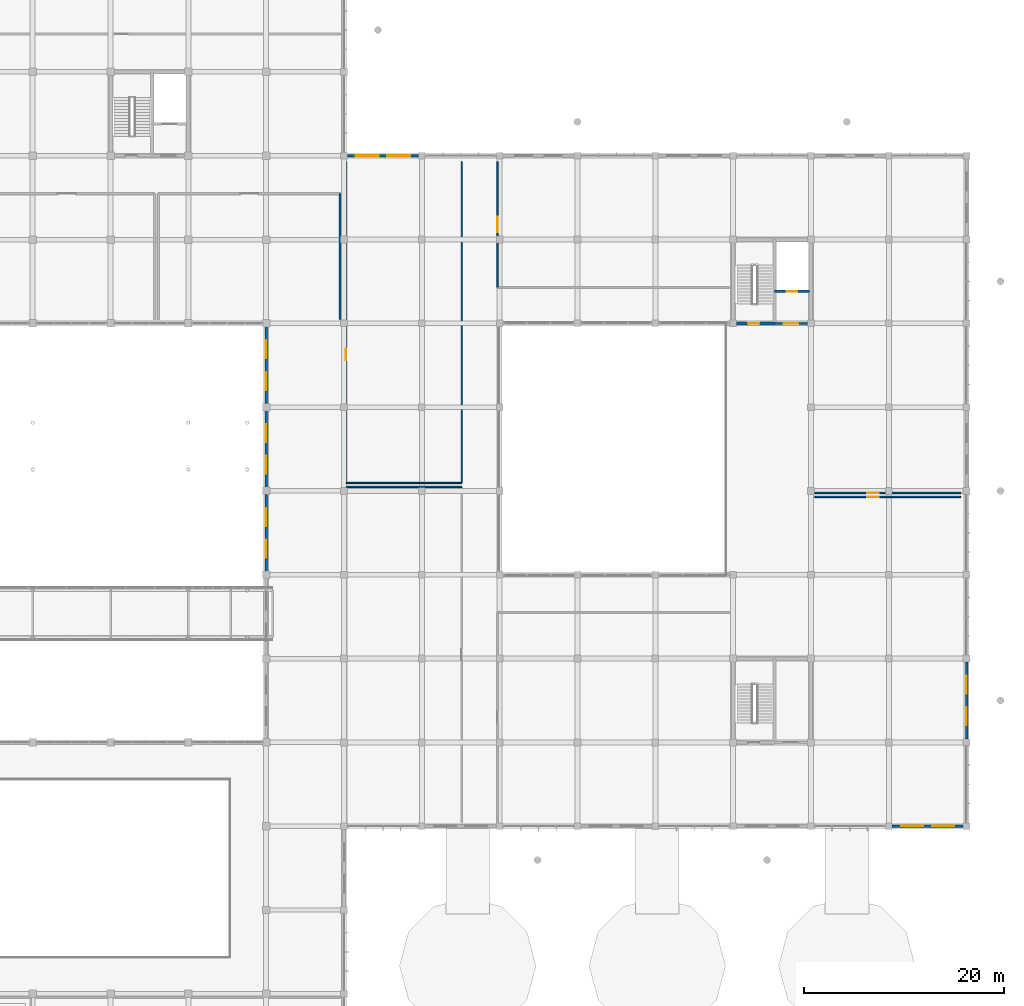
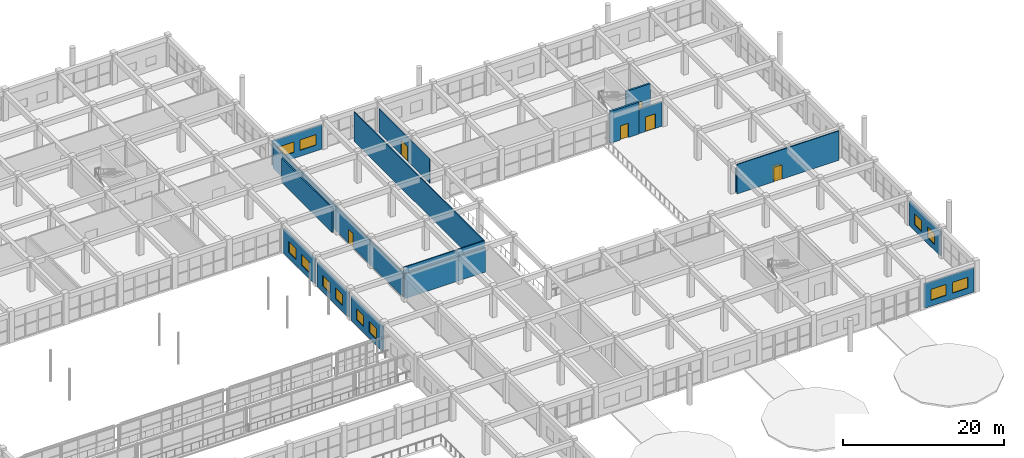
# One storey, part 165 of 175: 17 walls, 12 windows, 7 doors, 19 openings.
"""IFC4 building model written with IfcOpenShell, lengths in metres."""

from ifc_helpers import new_model, si_unit, direction, frame, frame_2d, origin, place, context, subcontext, project, spatial, rectangle, extrude, material, layer, layer_set, type_object, element, fill, save


model = new_model("IFC4")

# Units and contexts
model_context = context("Model", 3, precision=1e-05, world=origin(), true_north=direction((0.0, 1.0)))
body_context = subcontext(model_context, "Body", "Model", "MODEL_VIEW")
ifc_project = project(units=[si_unit("LENGTHUNIT", "METRE"), si_unit("AREAUNIT", "SQUARE_METRE"), si_unit("VOLUMEUNIT", "CUBIC_METRE"), si_unit("PLANEANGLEUNIT", "RADIAN"), si_unit("MASSUNIT", "GRAM", prefix="KILO")], contexts=[model_context])

# Site, building, storey
site_placement = place(None, origin())
site = spatial("IfcSite", under=ifc_project, at=site_placement, CompositionType="ELEMENT")
building_placement = place(site_placement, origin())
building = spatial("IfcBuilding", under=site, at=building_placement, Name="Zizhar Promenade General Hospital", CompositionType="ELEMENT")
storey_placement = place(building_placement, frame((0.0, 0.0, 4.800048828125)))
storey = spatial("IfcBuildingStorey", under=building, at=storey_placement, Name="L01", CompositionType="ELEMENT", Elevation=4.800048828125)

# Wall, openings, windows
ifc_material_1 = material(Name="Precast concrete C40/50", Category="concrete")
ifc_layer_1 = layer(ifc_material_1, 0.235107421875)
ifc_layer_set_1 = layer_set([ifc_layer_1], Name="Precast concrete C40/50")
wall_type_1 = type_object("IfcWallType", Name="EW-CLN-235", PredefinedType="STANDARD", material=ifc_layer_set_1)
wall_1_placement = place(storey_placement, frame((132.93994140625, 109.199951171875, 0.0), z_axis=(0.0, 0.0, 1.0), x_axis=(1.0, 0.0, 0.0)))
wall_1 = element("IfcWall", 1, at=wall_1_placement, inside=storey, type_object=wall_type_1, Name="Outpatient North Wall L01-17", PredefinedType="STANDARD", context=body_context, shape_type="SweptSolid", body=[
    extrude(rectangle(XDim=7.1201171875, YDim=0.235107421875, at=frame_2d((3.56005859375, 0.0))), origin(), (0.0, 0.0, 1.0), 3.679931640625),
])
opening_1_placement = place(wall_1_placement, frame((0.840087890625, 0.0, 0.89990234375)))
opening_1 = element("IfcOpeningElement", 2, at=opening_1_placement, cuts=wall_1, Name="Opening W-20", PredefinedType="OPENING", context=body_context, shape_type="SweptSolid", body=[
    extrude(rectangle(XDim=2.300048828125, YDim=1.60009765625, at=frame_2d((1.14990234375, 0.800048828125))), frame((0.0, 0.12744140625, 0.0), z_axis=(0.0, -1.0, 0.0), x_axis=(1.0, 0.0, 0.0)), (0.0, 0.0, 1.0), 0.255126953125),
])
opening_2_placement = place(wall_1_placement, frame((3.97998046875, 0.0, 0.89990234375)))
opening_2 = element("IfcOpeningElement", 3, at=opening_2_placement, cuts=wall_1, Name="Opening W-20", PredefinedType="OPENING", context=body_context, shape_type="SweptSolid", body=[
    extrude(rectangle(XDim=2.300048828125, YDim=1.60009765625, at=frame_2d((1.14990234375, 0.800048828125))), frame((0.0, 0.12744140625, 0.0), z_axis=(0.0, -1.0, 0.0), x_axis=(1.0, 0.0, 0.0)), (0.0, 0.0, 1.0), 0.255126953125),
])
ifc_material_2 = material(Name="Anodised aluminium 6063-T6 and low-E glass", Category="aluminium")
window_type_1 = type_object("IfcWindowType", Name="WIN-CLN-230x160", PartitioningType="DOUBLE_PANEL_VERTICAL", PredefinedType="WINDOW", material=ifc_material_2)
window_1_placement = place(opening_1_placement, origin())
window_1 = element("IfcWindow", 4, at=window_1_placement, inside=storey, type_object=window_type_1, Name="Outpatient North Wall L01-17 Window 1", OverallHeight=1.60009765625, OverallWidth=2.300048828125, PartitioningType="SINGLE_PANEL", PredefinedType="WINDOW", context=body_context, shape_type="SweptSolid", body=[
    extrude(rectangle(XDim=2.300048828125, YDim=1.60009765625, at=frame_2d((1.14990234375, 0.800048828125))), frame((0.0, 0.030029296875, 0.0), z_axis=(0.0, -1.0, 0.0), x_axis=(1.0, 0.0, 0.0)), (0.0, 0.0, 1.0), 0.06005859375),
])
fill(opening_1, window_1)
window_2_placement = place(opening_2_placement, origin())
window_2 = element("IfcWindow", 5, at=window_2_placement, inside=storey, type_object=window_type_1, Name="Outpatient North Wall L01-17 Window 2", OverallHeight=1.60009765625, OverallWidth=2.300048828125, PartitioningType="SINGLE_PANEL", PredefinedType="WINDOW", context=body_context, shape_type="SweptSolid", body=[
    extrude(rectangle(XDim=2.300048828125, YDim=1.60009765625, at=frame_2d((1.14990234375, 0.800048828125))), frame((0.0, 0.030029296875, 0.0), z_axis=(0.0, -1.0, 0.0), x_axis=(1.0, 0.0, 0.0)), (0.0, 0.0, 1.0), 0.06005859375),
])
fill(opening_2, window_2)

wall_2_placement = place(storey_placement, frame((195.0, 58.4599609375, 0.0), z_axis=(0.0, 0.0, 1.0), x_axis=(0.0, -1.0, 0.0)))
wall_2 = element("IfcWall", 6, at=wall_2_placement, inside=storey, type_object=wall_type_1, Name="Outpatient East Wall L01-6", PredefinedType="STANDARD", context=body_context, shape_type="SweptSolid", body=[
    extrude(rectangle(XDim=7.719970703125, YDim=0.235107421875, at=frame_2d((3.85986328125, 0.0))), origin(), (0.0, 0.0, 1.0), 3.6650390625),
])
opening_3_placement = place(wall_2_placement, frame((1.373291015625, 0.0, 0.89990234375)))
opening_3 = element("IfcOpeningElement", 7, at=opening_3_placement, cuts=wall_2, Name="Opening W-08", PredefinedType="OPENING", context=body_context, shape_type="SweptSolid", body=[
    extrude(rectangle(XDim=1.800048828125, YDim=1.64990234375, at=frame_2d((0.89990234375, 0.824951171875))), frame((0.0, 0.12744140625, 0.0), z_axis=(0.0, -1.0, 0.0), x_axis=(1.0, 0.0, 0.0)), (0.0, 0.0, 1.0), 0.255126953125),
])
opening_4_placement = place(wall_2_placement, frame((4.546630859375, 0.0, 0.89990234375)))
opening_4 = element("IfcOpeningElement", 8, at=opening_4_placement, cuts=wall_2, Name="Opening W-08", PredefinedType="OPENING", context=body_context, shape_type="SweptSolid", body=[
    extrude(rectangle(XDim=1.800048828125, YDim=1.64990234375, at=frame_2d((0.89990234375, 0.824951171875))), frame((0.0, 0.12744140625, 0.0), z_axis=(0.0, -1.0, 0.0), x_axis=(1.0, 0.0, 0.0)), (0.0, 0.0, 1.0), 0.255126953125),
])
ifc_material_3 = material(Name="Anodised aluminium 6063-T6 and low-E glass", Category="aluminium")
window_type_2 = type_object("IfcWindowType", Name="WIN-CLN-180x165", PartitioningType="DOUBLE_PANEL_VERTICAL", PredefinedType="WINDOW", material=ifc_material_3)
window_3_placement = place(opening_3_placement, origin())
window_3 = element("IfcWindow", 9, at=window_3_placement, inside=storey, type_object=window_type_2, Name="Outpatient East Wall L01-6 Window 1", OverallHeight=1.64990234375, OverallWidth=1.800048828125, PartitioningType="SINGLE_PANEL", PredefinedType="WINDOW", context=body_context, shape_type="SweptSolid", body=[
    extrude(rectangle(XDim=1.800048828125, YDim=1.64990234375, at=frame_2d((0.89990234375, 0.824951171875))), frame((0.0, 0.030029296875, 0.0), z_axis=(0.0, -1.0, 0.0), x_axis=(1.0, 0.0, 0.0)), (0.0, 0.0, 1.0), 0.06005859375),
])
fill(opening_3, window_3)
window_4_placement = place(opening_4_placement, origin())
window_4 = element("IfcWindow", 10, at=window_4_placement, inside=storey, type_object=window_type_2, Name="Outpatient East Wall L01-6 Window 2", OverallHeight=1.64990234375, OverallWidth=1.800048828125, PartitioningType="SINGLE_PANEL", PredefinedType="WINDOW", context=body_context, shape_type="SweptSolid", body=[
    extrude(rectangle(XDim=1.800048828125, YDim=1.64990234375, at=frame_2d((0.89990234375, 0.824951171875))), frame((0.0, 0.030029296875, 0.0), z_axis=(0.0, -1.0, 0.0), x_axis=(1.0, 0.0, 0.0)), (0.0, 0.0, 1.0), 0.06005859375),
])
fill(opening_4, window_4)

wall_3_placement = place(storey_placement, frame((194.659912109375, 42.0, 0.0), z_axis=(0.0, 0.0, 1.0), x_axis=(-1.0, 0.0, 0.0)))
wall_3 = element("IfcWall", 11, at=wall_3_placement, inside=storey, type_object=wall_type_1, Name="Outpatient Forecourt South Wall L01-24", PredefinedType="STANDARD", context=body_context, shape_type="SweptSolid", body=[
    extrude(rectangle(XDim=7.119873046875, YDim=0.235107421875, at=frame_2d((3.56005859375, 0.0))), origin(), (0.0, 0.0, 1.0), 3.679931640625),
])
opening_5_placement = place(wall_3_placement, frame((0.90673828125, 0.0, 0.89990234375)))
opening_5 = element("IfcOpeningElement", 12, at=opening_5_placement, cuts=wall_3, Name="Opening W-07", PredefinedType="OPENING", context=body_context, shape_type="SweptSolid", body=[
    extrude(rectangle(XDim=2.199951171875, YDim=1.64990234375, at=frame_2d((1.10009765625, 0.824951171875))), frame((0.0, 0.12744140625, 0.0), z_axis=(0.0, -1.0, 0.0), x_axis=(1.0, 0.0, 0.0)), (0.0, 0.0, 1.0), 0.255126953125),
])
opening_6_placement = place(wall_3_placement, frame((4.01318359375, 0.0, 0.89990234375)))
opening_6 = element("IfcOpeningElement", 13, at=opening_6_placement, cuts=wall_3, Name="Opening W-07", PredefinedType="OPENING", context=body_context, shape_type="SweptSolid", body=[
    extrude(rectangle(XDim=2.199951171875, YDim=1.64990234375, at=frame_2d((1.10009765625, 0.824951171875))), frame((0.0, 0.12744140625, 0.0), z_axis=(0.0, -1.0, 0.0), x_axis=(1.0, 0.0, 0.0)), (0.0, 0.0, 1.0), 0.255126953125),
])
ifc_material_4 = material(Name="Anodised aluminium 6063-T6 and low-E glass", Category="aluminium")
window_type_3 = type_object("IfcWindowType", Name="WIN-CLN-220x165", PartitioningType="DOUBLE_PANEL_VERTICAL", PredefinedType="WINDOW", material=ifc_material_4)
window_5_placement = place(opening_5_placement, origin())
window_5 = element("IfcWindow", 14, at=window_5_placement, inside=storey, type_object=window_type_3, Name="Outpatient Forecourt South Wall L01-24 Window 1", OverallHeight=1.64990234375, OverallWidth=2.199951171875, PartitioningType="SINGLE_PANEL", PredefinedType="WINDOW", context=body_context, shape_type="SweptSolid", body=[
    extrude(rectangle(XDim=2.199951171875, YDim=1.64990234375, at=frame_2d((1.10009765625, 0.824951171875))), frame((0.0, 0.030029296875, 0.0), z_axis=(0.0, -1.0, 0.0), x_axis=(1.0, 0.0, 0.0)), (0.0, 0.0, 1.0), 0.06005859375),
])
fill(opening_5, window_5)
window_6_placement = place(opening_6_placement, origin())
window_6 = element("IfcWindow", 15, at=window_6_placement, inside=storey, type_object=window_type_3, Name="Outpatient Forecourt South Wall L01-24 Window 2", OverallHeight=1.64990234375, OverallWidth=2.199951171875, PartitioningType="SINGLE_PANEL", PredefinedType="WINDOW", context=body_context, shape_type="SweptSolid", body=[
    extrude(rectangle(XDim=2.199951171875, YDim=1.64990234375, at=frame_2d((1.10009765625, 0.824951171875))), frame((0.0, 0.030029296875, 0.0), z_axis=(0.0, -1.0, 0.0), x_axis=(1.0, 0.0, 0.0)), (0.0, 0.0, 1.0), 0.06005859375),
])
fill(opening_6, window_6)

ifc_material_5 = material(Name="Precast concrete C40/50", Category="concrete")
ifc_layer_2 = layer(ifc_material_5, 0.260009765625)
ifc_layer_set_2 = layer_set([ifc_layer_2], Name="Precast concrete C40/50")
wall_type_2 = type_object("IfcWallType", Name="EW-PC-260", PredefinedType="STANDARD", material=ifc_layer_set_2)
wall_4_placement = place(storey_placement, frame((124.800048828125, 75.260009765625, 0.0), z_axis=(0.0, 0.0, 1.0), x_axis=(0.0, -1.0, 0.0)))
wall_4 = element("IfcWall", 16, at=wall_4_placement, inside=storey, type_object=wall_type_2, Name="Garden Court East Wall L01-8", PredefinedType="STANDARD", context=body_context, shape_type="SweptSolid", body=[
    extrude(rectangle(XDim=7.719970703125, YDim=0.260009765625, at=frame_2d((3.85986328125, 0.0))), origin(), (0.0, 0.0, 1.0), 3.6650390625),
])
opening_7_placement = place(wall_4_placement, frame((1.373291015625, 0.0, 0.89990234375)))
opening_7 = element("IfcOpeningElement", 17, at=opening_7_placement, cuts=wall_4, Name="Opening W-08", PredefinedType="OPENING", context=body_context, shape_type="SweptSolid", body=[
    extrude(rectangle(XDim=1.800048828125, YDim=1.64990234375, at=frame_2d((0.89990234375, 0.824951171875))), frame((0.0, 0.14013671875, 0.0), z_axis=(0.0, -1.0, 0.0), x_axis=(1.0, 0.0, 0.0)), (0.0, 0.0, 1.0), 0.280029296875),
])
opening_8_placement = place(wall_4_placement, frame((4.546630859375, 0.0, 0.89990234375)))
opening_8 = element("IfcOpeningElement", 18, at=opening_8_placement, cuts=wall_4, Name="Opening W-08", PredefinedType="OPENING", context=body_context, shape_type="SweptSolid", body=[
    extrude(rectangle(XDim=1.800048828125, YDim=1.64990234375, at=frame_2d((0.89990234375, 0.824951171875))), frame((0.0, 0.14013671875, 0.0), z_axis=(0.0, -1.0, 0.0), x_axis=(1.0, 0.0, 0.0)), (0.0, 0.0, 1.0), 0.280029296875),
])
window_7_placement = place(opening_7_placement, origin())
window_7 = element("IfcWindow", 19, at=window_7_placement, inside=storey, type_object=window_type_2, Name="Garden Court East Wall L01-8 Window 1", OverallHeight=1.64990234375, OverallWidth=1.800048828125, PartitioningType="SINGLE_PANEL", PredefinedType="WINDOW", context=body_context, shape_type="SweptSolid", body=[
    extrude(rectangle(XDim=1.800048828125, YDim=1.64990234375, at=frame_2d((0.89990234375, 0.824951171875))), frame((0.0, 0.030029296875, 0.0), z_axis=(0.0, -1.0, 0.0), x_axis=(1.0, 0.0, 0.0)), (0.0, 0.0, 1.0), 0.06005859375),
])
fill(opening_7, window_7)
window_8_placement = place(opening_8_placement, origin())
window_8 = element("IfcWindow", 20, at=window_8_placement, inside=storey, type_object=window_type_2, Name="Garden Court East Wall L01-8 Window 2", OverallHeight=1.64990234375, OverallWidth=1.800048828125, PartitioningType="SINGLE_PANEL", PredefinedType="WINDOW", context=body_context, shape_type="SweptSolid", body=[
    extrude(rectangle(XDim=1.800048828125, YDim=1.64990234375, at=frame_2d((0.89990234375, 0.824951171875))), frame((0.0, 0.030029296875, 0.0), z_axis=(0.0, -1.0, 0.0), x_axis=(1.0, 0.0, 0.0)), (0.0, 0.0, 1.0), 0.06005859375),
])
fill(opening_8, window_8)

wall_5_placement = place(storey_placement, frame((124.800048828125, 83.659912109375, 0.0), z_axis=(0.0, 0.0, 1.0), x_axis=(0.0, -1.0, 0.0)))
wall_5 = element("IfcWall", 21, at=wall_5_placement, inside=storey, type_object=wall_type_2, Name="Garden Court East Wall L01-9", PredefinedType="STANDARD", context=body_context, shape_type="SweptSolid", body=[
    extrude(rectangle(XDim=7.719970703125, YDim=0.260009765625, at=frame_2d((3.85986328125, 0.0))), origin(), (0.0, 0.0, 1.0), 3.6650390625),
])
opening_9_placement = place(wall_5_placement, frame((1.373291015625, 0.0, 0.89990234375)))
opening_9 = element("IfcOpeningElement", 22, at=opening_9_placement, cuts=wall_5, Name="Opening W-08", PredefinedType="OPENING", context=body_context, shape_type="SweptSolid", body=[
    extrude(rectangle(XDim=1.800048828125, YDim=1.64990234375, at=frame_2d((0.89990234375, 0.824951171875))), frame((0.0, 0.14013671875, 0.0), z_axis=(0.0, -1.0, 0.0), x_axis=(1.0, 0.0, 0.0)), (0.0, 0.0, 1.0), 0.280029296875),
])
opening_10_placement = place(wall_5_placement, frame((4.546630859375, 0.0, 0.89990234375)))
opening_10 = element("IfcOpeningElement", 23, at=opening_10_placement, cuts=wall_5, Name="Opening W-08", PredefinedType="OPENING", context=body_context, shape_type="SweptSolid", body=[
    extrude(rectangle(XDim=1.800048828125, YDim=1.64990234375, at=frame_2d((0.89990234375, 0.824951171875))), frame((0.0, 0.14013671875, 0.0), z_axis=(0.0, -1.0, 0.0), x_axis=(1.0, 0.0, 0.0)), (0.0, 0.0, 1.0), 0.280029296875),
])
window_9_placement = place(opening_9_placement, origin())
window_9 = element("IfcWindow", 24, at=window_9_placement, inside=storey, type_object=window_type_2, Name="Garden Court East Wall L01-9 Window 1", OverallHeight=1.64990234375, OverallWidth=1.800048828125, PartitioningType="SINGLE_PANEL", PredefinedType="WINDOW", context=body_context, shape_type="SweptSolid", body=[
    extrude(rectangle(XDim=1.800048828125, YDim=1.64990234375, at=frame_2d((0.89990234375, 0.824951171875))), frame((0.0, 0.030029296875, 0.0), z_axis=(0.0, -1.0, 0.0), x_axis=(1.0, 0.0, 0.0)), (0.0, 0.0, 1.0), 0.06005859375),
])
fill(opening_9, window_9)
window_10_placement = place(opening_10_placement, origin())
window_10 = element("IfcWindow", 25, at=window_10_placement, inside=storey, type_object=window_type_2, Name="Garden Court East Wall L01-9 Window 2", OverallHeight=1.64990234375, OverallWidth=1.800048828125, PartitioningType="SINGLE_PANEL", PredefinedType="WINDOW", context=body_context, shape_type="SweptSolid", body=[
    extrude(rectangle(XDim=1.800048828125, YDim=1.64990234375, at=frame_2d((0.89990234375, 0.824951171875))), frame((0.0, 0.030029296875, 0.0), z_axis=(0.0, -1.0, 0.0), x_axis=(1.0, 0.0, 0.0)), (0.0, 0.0, 1.0), 0.06005859375),
])
fill(opening_10, window_10)

wall_6_placement = place(storey_placement, frame((124.800048828125, 92.06005859375, 0.0), z_axis=(0.0, 0.0, 1.0), x_axis=(0.0, -1.0, 0.0)))
wall_6 = element("IfcWall", 26, at=wall_6_placement, inside=storey, type_object=wall_type_2, Name="Garden Court East Wall L01-10", PredefinedType="STANDARD", context=body_context, shape_type="SweptSolid", body=[
    extrude(rectangle(XDim=7.719970703125, YDim=0.260009765625, at=frame_2d((3.85986328125, 0.0))), origin(), (0.0, 0.0, 1.0), 3.6650390625),
])
opening_11_placement = place(wall_6_placement, frame((1.373291015625, 0.0, 0.89990234375)))
opening_11 = element("IfcOpeningElement", 27, at=opening_11_placement, cuts=wall_6, Name="Opening W-08", PredefinedType="OPENING", context=body_context, shape_type="SweptSolid", body=[
    extrude(rectangle(XDim=1.800048828125, YDim=1.64990234375, at=frame_2d((0.89990234375, 0.824951171875))), frame((0.0, 0.14013671875, 0.0), z_axis=(0.0, -1.0, 0.0), x_axis=(1.0, 0.0, 0.0)), (0.0, 0.0, 1.0), 0.280029296875),
])
opening_12_placement = place(wall_6_placement, frame((4.546630859375, 0.0, 0.89990234375)))
opening_12 = element("IfcOpeningElement", 28, at=opening_12_placement, cuts=wall_6, Name="Opening W-08", PredefinedType="OPENING", context=body_context, shape_type="SweptSolid", body=[
    extrude(rectangle(XDim=1.800048828125, YDim=1.64990234375, at=frame_2d((0.89990234375, 0.824951171875))), frame((0.0, 0.14013671875, 0.0), z_axis=(0.0, -1.0, 0.0), x_axis=(1.0, 0.0, 0.0)), (0.0, 0.0, 1.0), 0.280029296875),
])
window_11_placement = place(opening_11_placement, origin())
window_11 = element("IfcWindow", 29, at=window_11_placement, inside=storey, type_object=window_type_2, Name="Garden Court East Wall L01-10 Window 1", OverallHeight=1.64990234375, OverallWidth=1.800048828125, PartitioningType="SINGLE_PANEL", PredefinedType="WINDOW", context=body_context, shape_type="SweptSolid", body=[
    extrude(rectangle(XDim=1.800048828125, YDim=1.64990234375, at=frame_2d((0.89990234375, 0.824951171875))), frame((0.0, 0.030029296875, 0.0), z_axis=(0.0, -1.0, 0.0), x_axis=(1.0, 0.0, 0.0)), (0.0, 0.0, 1.0), 0.06005859375),
])
fill(opening_11, window_11)
window_12_placement = place(opening_12_placement, origin())
window_12 = element("IfcWindow", 30, at=window_12_placement, inside=storey, type_object=window_type_2, Name="Garden Court East Wall L01-10 Window 2", OverallHeight=1.64990234375, OverallWidth=1.800048828125, PartitioningType="SINGLE_PANEL", PredefinedType="WINDOW", context=body_context, shape_type="SweptSolid", body=[
    extrude(rectangle(XDim=1.800048828125, YDim=1.64990234375, at=frame_2d((0.89990234375, 0.824951171875))), frame((0.0, 0.030029296875, 0.0), z_axis=(0.0, -1.0, 0.0), x_axis=(1.0, 0.0, 0.0)), (0.0, 0.0, 1.0), 0.06005859375),
])
fill(opening_12, window_12)

# Walls
ifc_material_6 = material(Name="Clinical consultation partition")
ifc_layer_3 = layer(ifc_material_6, 0.14501953125)
ifc_layer_set_3 = layer_set([ifc_layer_3], Name="Clinical consultation partition")
wall_type_3 = type_object("IfcWallType", Name="IW-CLN-145", PredefinedType="PARTITIONING", material=ifc_layer_set_3)
wall_7_placement = place(storey_placement, frame((132.800048828125, 76.0, 0.0), z_axis=(0.0, 0.0, 1.0), x_axis=(1.0, 0.0, 0.0)))
element("IfcWall", 31, at=wall_7_placement, inside=storey, type_object=wall_type_3, Name="Outpatient Cardiology Clinic N Partition", PredefinedType="PARTITIONING", context=body_context, shape_type="SweptSolid", body=[
    extrude(rectangle(XDim=11.599853515625, YDim=0.14501953125, at=frame_2d((5.7998046875, 0.0))), origin(), (0.0, 0.0, 1.0), 3.679931640625),
])
wall_8_placement = place(storey_placement, frame((132.800048828125, 76.39990234375, 0.0), z_axis=(0.0, 0.0, 1.0), x_axis=(1.0, 0.0, 0.0)))
element("IfcWall", 32, at=wall_8_placement, inside=storey, type_object=wall_type_3, Name="Outpatient Pulmonary Function Clinic S Partition", PredefinedType="PARTITIONING", context=body_context, shape_type="SweptSolid", body=[
    extrude(rectangle(XDim=11.599853515625, YDim=0.14501953125, at=frame_2d((5.7998046875, 0.0))), origin(), (0.0, 0.0, 1.0), 4.4599609375),
])

# Wall, opening, door
wall_9_placement = place(storey_placement, frame((132.800048828125, 76.39990234375, 0.0), z_axis=(0.0, 0.0, 1.0), x_axis=(0.0, 1.0, 0.0)))
wall_9 = element("IfcWall", 33, at=wall_9_placement, inside=storey, type_object=wall_type_3, Name="Outpatient Pulmonary Function Clinic W Partition", PredefinedType="PARTITIONING", context=body_context, shape_type="SweptSolid", body=[
    extrude(rectangle(XDim=32.2001953125, YDim=0.14501953125, at=frame_2d((16.10009765625, 0.0))), origin(), (0.0, 0.0, 1.0), 3.6650390625),
])
opening_13_placement = place(wall_9_placement, frame((12.304931640625, 0.0, 0.0)))
opening_13 = element("IfcOpeningElement", 34, at=opening_13_placement, cuts=wall_9, Name="Opening D-15", PredefinedType="OPENING", context=body_context, shape_type="SweptSolid", body=[
    extrude(rectangle(XDim=1.14990234375, YDim=2.14990234375, at=frame_2d((0.574951171875, 1.074951171875))), frame((0.0, 0.08251953125, 0.0), z_axis=(0.0, -1.0, 0.0), x_axis=(1.0, 0.0, 0.0)), (0.0, 0.0, 1.0), 0.1650390625),
])
ifc_material_7 = material(Name="Fire-rated timber treatment leaf", Category="wood")
door_type_1 = type_object("IfcDoorType", Name="DR-CLN-TREAT-115x215", OperationType="NOTDEFINED", PredefinedType="DOOR", material=ifc_material_7)
door_1_placement = place(opening_13_placement, origin())
door_1 = element("IfcDoor", 35, at=door_1_placement, inside=storey, type_object=door_type_1, Name="Outpatient Pulmonary Function Clinic Door", OperationType="SINGLE_SWING_LEFT", OverallHeight=2.14990234375, OverallWidth=1.14990234375, PredefinedType="DOOR", context=body_context, shape_type="SweptSolid", body=[
    extrude(rectangle(XDim=1.14990234375, YDim=2.14990234375, at=frame_2d((0.574951171875, 1.074951171875))), frame((0.0, 0.02490234375, 0.0), z_axis=(0.0, -1.0, 0.0), x_axis=(1.0, 0.0, 0.0)), (0.0, 0.0, 1.0), 0.050048828125),
])
fill(opening_13, door_1)

# Wall
wall_10_placement = place(storey_placement, frame((144.39990234375, 76.39990234375, 0.0), z_axis=(0.0, 0.0, 1.0), x_axis=(0.0, 1.0, 0.0)))
element("IfcWall", 36, at=wall_10_placement, inside=storey, type_object=wall_type_3, Name="Outpatient Pulmonary Function Clinic E Partition", PredefinedType="PARTITIONING", context=body_context, shape_type="SweptSolid", body=[
    extrude(rectangle(XDim=32.2001953125, YDim=0.14501953125, at=frame_2d((16.10009765625, 0.0))), origin(), (0.0, 0.0, 1.0), 4.4599609375),
])

# Wall, opening, door
wall_11_placement = place(storey_placement, frame((179.800048828125, 75.0, 0.0), z_axis=(0.0, 0.0, 1.0), x_axis=(1.0, 0.0, 0.0)))
wall_11 = element("IfcWall", 37, at=wall_11_placement, inside=storey, type_object=wall_type_3, Name="Outpatient Audiology and ENT Clinic N Partition", PredefinedType="PARTITIONING", context=body_context, shape_type="SweptSolid", body=[
    extrude(rectangle(XDim=14.599853515625, YDim=0.14501953125, at=frame_2d((7.2998046875, 0.0))), origin(), (0.0, 0.0, 1.0), 4.4599609375),
])
opening_14_placement = place(wall_11_placement, frame((5.264892578125, 0.0, 0.0)))
opening_14 = element("IfcOpeningElement", 38, at=opening_14_placement, cuts=wall_11, Name="Opening D-15", PredefinedType="OPENING", context=body_context, shape_type="SweptSolid", body=[
    extrude(rectangle(XDim=1.14990234375, YDim=2.14990234375, at=frame_2d((0.574951171875, 1.074951171875))), frame((0.0, 0.08251953125, 0.0), z_axis=(0.0, -1.0, 0.0), x_axis=(1.0, 0.0, 0.0)), (0.0, 0.0, 1.0), 0.1650390625),
])
door_2_placement = place(opening_14_placement, origin())
door_2 = element("IfcDoor", 39, at=door_2_placement, inside=storey, type_object=door_type_1, Name="Outpatient Audiology and ENT Clinic Door", OperationType="SINGLE_SWING_LEFT", OverallHeight=2.14990234375, OverallWidth=1.14990234375, PredefinedType="DOOR", context=body_context, shape_type="SweptSolid", body=[
    extrude(rectangle(XDim=1.14990234375, YDim=2.14990234375, at=frame_2d((0.574951171875, 1.074951171875))), frame((0.0, 0.02490234375, 0.0), z_axis=(0.0, -1.0, 0.0), x_axis=(1.0, 0.0, 0.0)), (0.0, 0.0, 1.0), 0.050048828125),
])
fill(opening_14, door_2)

wall_12_placement = place(storey_placement, frame((179.800048828125, 75.39990234375, 0.0), z_axis=(0.0, 0.0, 1.0), x_axis=(1.0, 0.0, 0.0)))
wall_12 = element("IfcWall", 40, at=wall_12_placement, inside=storey, type_object=wall_type_3, Name="Outpatient Cardiology Clinic Consultation Rooms S Partition", PredefinedType="PARTITIONING", context=body_context, shape_type="SweptSolid", body=[
    extrude(rectangle(XDim=14.599853515625, YDim=0.14501953125, at=frame_2d((7.2998046875, 0.0))), origin(), (0.0, 0.0, 1.0), 3.679931640625),
])
opening_15_placement = place(wall_12_placement, frame((5.264892578125, 0.0, 0.0)))
opening_15 = element("IfcOpeningElement", 41, at=opening_15_placement, cuts=wall_12, Name="Opening D-15", PredefinedType="OPENING", context=body_context, shape_type="SweptSolid", body=[
    extrude(rectangle(XDim=1.14990234375, YDim=2.14990234375, at=frame_2d((0.574951171875, 1.074951171875))), frame((0.0, 0.08251953125, 0.0), z_axis=(0.0, -1.0, 0.0), x_axis=(1.0, 0.0, 0.0)), (0.0, 0.0, 1.0), 0.1650390625),
])
door_3_placement = place(opening_15_placement, origin())
door_3 = element("IfcDoor", 42, at=door_3_placement, inside=storey, type_object=door_type_1, Name="Outpatient Cardiology Clinic Consultation Rooms Door", OperationType="SINGLE_SWING_RIGHT", OverallHeight=2.14990234375, OverallWidth=1.14990234375, PredefinedType="DOOR", context=body_context, shape_type="SweptSolid", body=[
    extrude(rectangle(XDim=1.14990234375, YDim=2.14990234375, at=frame_2d((0.574951171875, 1.074951171875))), frame((0.0, 0.02490234375, 0.0), z_axis=(0.0, -1.0, 0.0), x_axis=(1.0, 0.0, 0.0)), (0.0, 0.0, 1.0), 0.050048828125),
])
fill(opening_15, door_3)

wall_13_placement = place(storey_placement, frame((148.0, 96.0, 0.0), z_axis=(0.0, 0.0, 1.0), x_axis=(0.0, 1.0, 0.0)))
wall_13 = element("IfcWall", 43, at=wall_13_placement, inside=storey, type_object=wall_type_3, Name="Accessible Clinic Waiting and Lounge L01 W Partition", PredefinedType="PARTITIONING", context=body_context, shape_type="SweptSolid", body=[
    extrude(rectangle(XDim=12.60009765625, YDim=0.14501953125, at=frame_2d((6.300048828125, 0.0))), origin(), (0.0, 0.0, 1.0), 3.6650390625),
])
opening_16_placement = place(wall_13_placement, frame((5.5400390625, 0.0, 0.0)))
opening_16 = element("IfcOpeningElement", 44, at=opening_16_placement, cuts=wall_13, Name="Opening D-28", PredefinedType="OPENING", context=body_context, shape_type="SweptSolid", body=[
    extrude(rectangle(XDim=1.52001953125, YDim=2.199951171875, at=frame_2d((0.760009765625, 1.10009765625))), frame((0.0, 0.08251953125, 0.0), z_axis=(0.0, -1.0, 0.0), x_axis=(1.0, 0.0, 0.0)), (0.0, 0.0, 1.0), 0.1650390625),
])
ifc_material_8 = material(Name="Fire-rated timber glazed lounge pair", Category="wood")
door_type_2 = type_object("IfcDoorType", Name="DR-LOUNGE-152x220", OperationType="DOUBLE_DOOR_SINGLE_SWING", PredefinedType="DOOR", material=ifc_material_8)
door_4_placement = place(opening_16_placement, origin())
door_4 = element("IfcDoor", 45, at=door_4_placement, inside=storey, type_object=door_type_2, Name="Accessible Clinic Waiting and Lounge L01 Door", OperationType="DOUBLE_DOOR_SINGLE_SWING", OverallHeight=2.199951171875, OverallWidth=1.52001953125, PredefinedType="DOOR", context=body_context, shape_type="SweptSolid", body=[
    extrude(rectangle(XDim=1.52001953125, YDim=2.199951171875, at=frame_2d((0.760009765625, 1.10009765625))), frame((0.0, 0.02490234375, 0.0), z_axis=(0.0, -1.0, 0.0), x_axis=(1.0, 0.0, 0.0)), (0.0, 0.0, 1.0), 0.050048828125),
])
fill(opening_16, door_4)

ifc_material_9 = material(Name="Concrete C35/45", Category="concrete")
ifc_layer_4 = layer(ifc_material_9, 0.215087890625)
ifc_layer_set_4 = layer_set([ifc_layer_4], Name="Concrete C35/45")
wall_type_4 = type_object("IfcWallType", Name="IW-LOBBY-215", PredefinedType="STANDARD", material=ifc_layer_set_4)
wall_14_placement = place(storey_placement, frame((175.75, 92.39990234375, 0.0), z_axis=(0.0, 0.0, 1.0), x_axis=(1.0, 0.0, 0.0)))
wall_14 = element("IfcWall", 46, at=wall_14_placement, inside=storey, type_object=wall_type_4, Name="Core C8 Lift Lobby South Fire Wall (L01)", PredefinedType="STANDARD", context=body_context, shape_type="SweptSolid", body=[
    extrude(rectangle(XDim=3.2900390625, YDim=0.215087890625, at=frame_2d((1.64501953125, 0.0))), origin(), (0.0, 0.0, 1.0), 3.679931640625),
])
opening_17_placement = place(wall_14_placement, frame((0.925048828125, 0.0, 0.0)))
opening_17 = element("IfcOpeningElement", 47, at=opening_17_placement, cuts=wall_14, Name="Opening D-23", PredefinedType="OPENING", context=body_context, shape_type="SweptSolid", body=[
    extrude(rectangle(XDim=1.43994140625, YDim=2.199951171875, at=frame_2d((0.719970703125, 1.10009765625))), frame((0.0, 0.11767578125, 0.0), z_axis=(0.0, -1.0, 0.0), x_axis=(1.0, 0.0, 0.0)), (0.0, 0.0, 1.0), 0.235107421875),
])
ifc_material_10 = material(Name="Fire-rated timber lift lobby pair", Category="wood")
door_type_3 = type_object("IfcDoorType", Name="DR-LOBBY-PR-144x220", OperationType="DOUBLE_DOOR_SINGLE_SWING", PredefinedType="DOOR", material=ifc_material_10)
door_5_placement = place(opening_17_placement, origin())
door_5 = element("IfcDoor", 48, at=door_5_placement, inside=storey, type_object=door_type_3, Name="Core C8 Protected Lift Lobby Door (L01)", OperationType="DOUBLE_DOOR_SINGLE_SWING", OverallHeight=2.199951171875, OverallWidth=1.43994140625, PredefinedType="DOOR", context=body_context, shape_type="SweptSolid", body=[
    extrude(rectangle(XDim=1.43994140625, YDim=2.199951171875, at=frame_2d((0.719970703125, 1.10009765625))), frame((0.0, 0.02490234375, 0.0), z_axis=(0.0, -1.0, 0.0), x_axis=(1.0, 0.0, 0.0)), (0.0, 0.0, 1.0), 0.050048828125),
])
fill(opening_17, door_5)

# Wall
ifc_material_11 = material(Name="Hygienic cleanroom aluminium-faced gypsum partition", Category="aluminium")
ifc_layer_5 = layer(ifc_material_11, 0.18994140625)
ifc_layer_set_5 = layer_set([ifc_layer_5], Name="Hygienic cleanroom aluminium-faced gypsum partition")
wall_type_5 = type_object("IfcWallType", Name="IW-OR-190", PredefinedType="PARTITIONING", material=ifc_layer_set_5)
wall_15_placement = place(storey_placement, frame((132.199951171875, 92.800048828125, 0.0), z_axis=(0.0, 0.0, 1.0), x_axis=(0.0, 1.0, 0.0)))
element("IfcWall", 49, at=wall_15_placement, inside=storey, type_object=wall_type_5, Name="Operating Theatre 05 E Partition", PredefinedType="PARTITIONING", context=body_context, shape_type="SweptSolid", body=[
    extrude(rectangle(XDim=12.599853515625, YDim=0.18994140625, at=frame_2d((6.2998046875, 0.0))), origin(), (0.0, 0.0, 1.0), 3.6650390625),
])

# Wall, opening, door
ifc_material_12 = material(Name="Concrete C35/45", Category="concrete")
ifc_layer_6 = layer(ifc_material_12, 0.25)
ifc_layer_set_6 = layer_set([ifc_layer_6], Name="Concrete C35/45")
wall_type_6 = type_object("IfcWallType", Name="IW-SHAFT-250", PredefinedType="STANDARD", material=ifc_layer_set_6)
wall_16_placement = place(storey_placement, frame((175.75, 95.60009765625, 0.0), z_axis=(0.0, 0.0, 1.0), x_axis=(1.0, 0.0, 0.0)))
wall_16 = element("IfcWall", 50, at=wall_16_placement, inside=storey, type_object=wall_type_6, Name="Core C8 Lift Shaft Landing Wall (L01)", PredefinedType="STANDARD", context=body_context, shape_type="SweptSolid", body=[
    extrude(rectangle(XDim=3.5, YDim=0.25, at=frame_2d((1.75, 0.0))), origin(), (0.0, 0.0, 1.0), 4.4599609375),
])
opening_18_placement = place(wall_16_placement, frame((1.199951171875, 0.0, 0.0)))
opening_18 = element("IfcOpeningElement", 51, at=opening_18_placement, cuts=wall_16, Name="Opening LD-11", PredefinedType="OPENING", context=body_context, shape_type="SweptSolid", body=[
    extrude(rectangle(XDim=1.10009765625, YDim=2.199951171875, at=frame_2d((0.550048828125, 1.10009765625))), frame((0.0, 0.135009765625, 0.0), z_axis=(0.0, -1.0, 0.0), x_axis=(1.0, 0.0, 0.0)), (0.0, 0.0, 1.0), 0.27001953125),
])
ifc_material_13 = material(Name="Stainless Steel S355 passenger lift landing door", Category="steel")
door_type_4 = type_object("IfcDoorType", Name="DR-LIFT-LD11", OperationType="SLIDING_TO_LEFT", PredefinedType="DOOR", material=ifc_material_13)
door_6_placement = place(opening_18_placement, origin())
door_6 = element("IfcDoor", 52, at=door_6_placement, inside=storey, type_object=door_type_4, Name="Lift LP-04 Sliding Landing Door (L01)", OperationType="SLIDING_TO_LEFT", OverallHeight=2.199951171875, OverallWidth=1.10009765625, PredefinedType="DOOR", context=body_context, shape_type="SweptSolid", body=[
    extrude(rectangle(XDim=1.10009765625, YDim=2.199951171875, at=frame_2d((0.550048828125, 1.10009765625))), frame((0.0, 0.02490234375, 0.0), z_axis=(0.0, -1.0, 0.0), x_axis=(1.0, 0.0, 0.0)), (0.0, 0.0, 1.0), 0.050048828125),
])
fill(opening_18, door_6)

ifc_material_14 = material(Name="Concrete C40/50", Category="concrete")
ifc_layer_7 = layer(ifc_material_14, 0.300048828125)
ifc_layer_set_7 = layer_set([ifc_layer_7], Name="Concrete C40/50")
wall_type_7 = type_object("IfcWallType", Name="WL-CORE-300", PredefinedType="SHEAR", material=ifc_layer_set_7)
wall_17_placement = place(storey_placement, frame((171.60009765625, 92.39990234375, 0.0), z_axis=(0.0, 0.0, 1.0), x_axis=(1.0, 0.0, 0.0)))
wall_17 = element("IfcWall", 53, at=wall_17_placement, inside=storey, type_object=wall_type_7, Name="Core C8 Stair South Fire Wall (L01)", PredefinedType="SHEAR", context=body_context, shape_type="SweptSolid", body=[
    extrude(rectangle(XDim=4.14990234375, YDim=0.300048828125, at=frame_2d((2.074951171875, 0.0))), origin(), (0.0, 0.0, 1.0), 4.800048828125),
])
opening_19_placement = place(wall_17_placement, frame((1.514892578125, 0.0, 0.0)))
opening_19 = element("IfcOpeningElement", 54, at=opening_19_placement, cuts=wall_17, Name="Opening D-21", PredefinedType="OPENING", context=body_context, shape_type="SweptSolid", body=[
    extrude(rectangle(XDim=1.1201171875, YDim=2.14990234375, at=frame_2d((0.56005859375, 1.074951171875))), frame((0.0, 0.16015625, 0.0), z_axis=(0.0, -1.0, 0.0), x_axis=(1.0, 0.0, 0.0)), (0.0, 0.0, 1.0), 0.320068359375),
])
ifc_material_15 = material(Name="Steel S355 protected stair door", Category="steel")
door_type_5 = type_object("IfcDoorType", Name="DR-STAIR-112x215", OperationType="NOTDEFINED", PredefinedType="DOOR", material=ifc_material_15)
door_7_placement = place(opening_19_placement, origin())
door_7 = element("IfcDoor", 55, at=door_7_placement, inside=storey, type_object=door_type_5, Name="Exit Stair ST-08 Door (L01)", OperationType="SINGLE_SWING_LEFT", OverallHeight=2.14990234375, OverallWidth=1.1201171875, PredefinedType="DOOR", context=body_context, shape_type="SweptSolid", body=[
    extrude(rectangle(XDim=1.1201171875, YDim=2.14990234375, at=frame_2d((0.56005859375, 1.074951171875))), frame((0.0, 0.02490234375, 0.0), z_axis=(0.0, -1.0, 0.0), x_axis=(1.0, 0.0, 0.0)), (0.0, 0.0, 1.0), 0.050048828125),
])
fill(opening_19, door_7)

save(model, "model.ifc")
